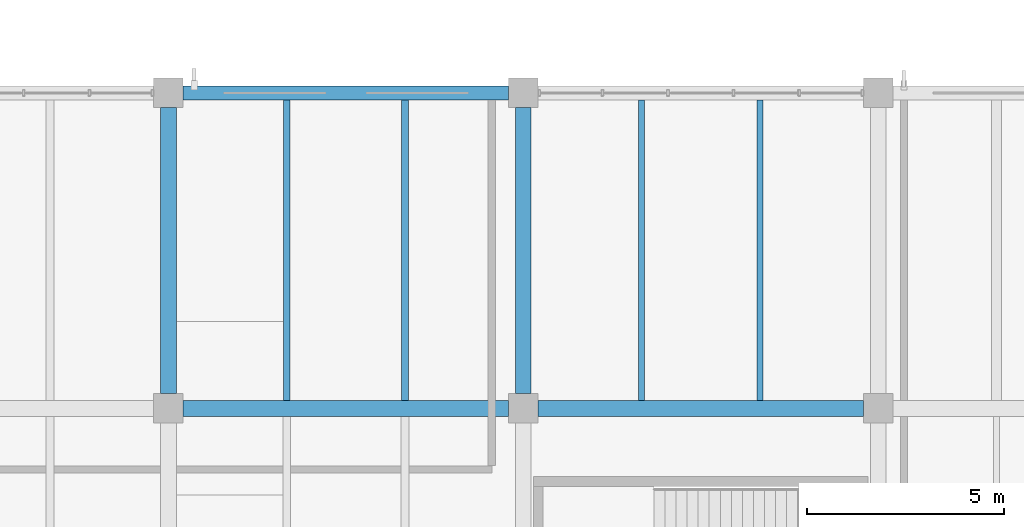
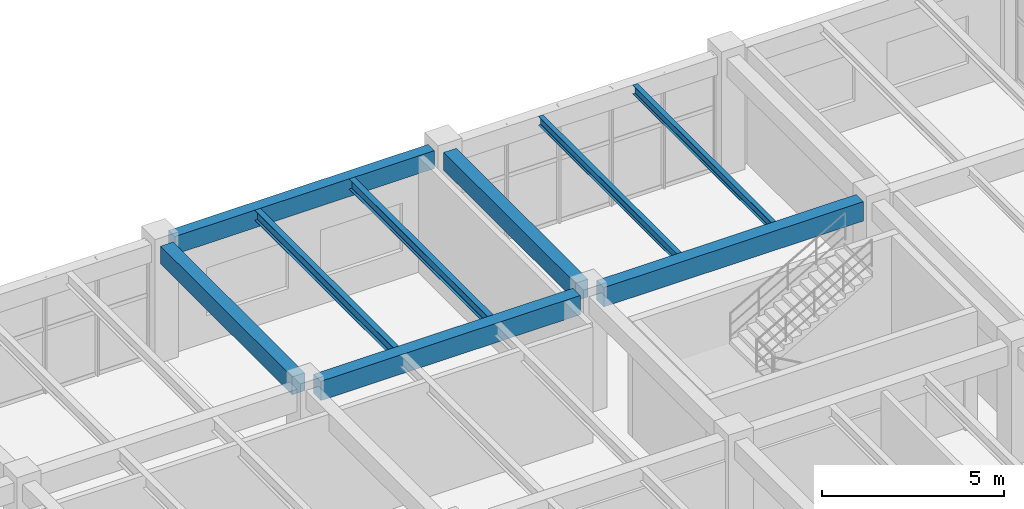
# One storey, part 111 of 148: 9 beams.
"""IFC4 building model written with IfcOpenShell, lengths in metres."""

from ifc_helpers import new_model, si_unit, derived_unit, direction, frame, origin, origin_2d, place, context, subcontext, project, spatial, rectangle, i_section, extrude, material, material_profile, profile_set, type_object, element, save


model = new_model("IFC4")

# Units and contexts
model_context = context("Model", 3, precision=1e-05, world=origin(), true_north=direction((0.0, 1.0)))
body_context = subcontext(model_context, "Body", "Model", "MODEL_VIEW")
ifc_project = project(units=[si_unit("LENGTHUNIT", "METRE"), si_unit("AREAUNIT", "SQUARE_METRE"), si_unit("VOLUMEUNIT", "CUBIC_METRE"), si_unit("PLANEANGLEUNIT", "RADIAN"), si_unit("MASSUNIT", "GRAM", prefix="KILO"), derived_unit("THERMALTRANSMITTANCEUNIT", [(si_unit("MASSUNIT", "GRAM", prefix="KILO"), 1), (si_unit("TIMEUNIT", "SECOND"), -3), (si_unit("THERMODYNAMICTEMPERATUREUNIT", "KELVIN"), -1)])], contexts=[model_context])

# Site, building, storey
site_placement = place(None, origin())
site = spatial("IfcSite", under=ifc_project, at=site_placement, CompositionType="ELEMENT")
building_placement = place(site_placement, origin())
building = spatial("IfcBuilding", under=site, at=building_placement, Name="Zhenchuan Archway Interchange", CompositionType="ELEMENT")
storey_placement = place(building_placement, frame((0.0, 0.0, 10.199951171875)))
storey = spatial("IfcBuildingStorey", under=building, at=storey_placement, Name="L02", CompositionType="ELEMENT", Elevation=10.199951171875)

# Beams
ifc_material_1 = material(Name="Concrete C40", Category="concrete")
ifc_material_profile_1 = material_profile(ifc_material_1, rectangle(XDim=0.39990234375, YDim=0.60009765625, at=origin_2d()), Name="RC 400x600")
ifc_profile_set_1 = profile_set([ifc_material_profile_1], Name="Concrete C40")
beam_type_1 = type_object("IfcBeamType", Name="BM_RC_400x600", PredefinedType="BEAM", material=ifc_profile_set_1)
for number, where, z_axis, x_axis, name in (
    (1, (144.0, 96.375, 3.6201171875), (0.0, 1.0, 0.0), (-1.0, 0.0, 0.0), "Beam 17:N-O (L02)"),
    (2, (153.0, 96.375, 3.6201171875), (0.0, 1.0, 0.0), (-1.0, 0.0, 0.0), "Beam 18:N-O (L02)"),
):
    element("IfcBeam", number, at=place(storey_placement, frame(where, z_axis=z_axis, x_axis=x_axis)), inside=storey, type_object=beam_type_1, Name=name, PredefinedType="BEAM", context=body_context, shape_type="SweptSolid", body=[
        extrude(rectangle(XDim=0.39990234375, YDim=0.60009765625, at=origin_2d()), origin(), (0.0, 0.0, 1.0), 7.25),
    ])
ifc_material_profile_2 = material_profile(ifc_material_1, rectangle(XDim=0.39990234375, YDim=0.64990234375, at=origin_2d()), Name="RC 400x650")
ifc_profile_set_2 = profile_set([ifc_material_profile_2], Name="Concrete C40")
beam_type_2 = type_object("IfcBeamType", Name="BM_RC_400x650", PredefinedType="BEAM", material=ifc_profile_set_2)
for number, where, z_axis, x_axis, name in (
    (3, (144.375, 96.0, 3.594970703125), (1.0, 0.0, 0.0), (0.0, 1.0, 0.0), "Beam N:17-18 (L02)"),
    (4, (153.375, 96.0, 3.594970703125), (1.0, 0.0, 0.0), (0.0, 1.0, 0.0), "Beam N:18-19 (L02)"),
):
    element("IfcBeam", number, at=place(storey_placement, frame(where, z_axis=z_axis, x_axis=x_axis)), inside=storey, type_object=beam_type_2, Name=name, PredefinedType="BEAM", context=body_context, shape_type="SweptSolid", body=[
        extrude(rectangle(XDim=0.39990234375, YDim=0.64990234375, at=origin_2d()), origin(), (0.0, 0.0, 1.0), 8.25),
    ])
ifc_material_2 = material(Name="Steel Q355", Category="steel")
ifc_material_profile_3 = material_profile(ifc_material_2, i_section(OverallWidth=0.14990234375, OverallDepth=0.300048828125, WebThickness=0.006591796875, FlangeThickness=0.009033203125, FilletRadius=0.012939453125, at=origin_2d()), Name="HN 300x150")
ifc_profile_set_3 = profile_set([ifc_material_profile_3], Name="Steel Q355")
beam_type_3 = type_object("IfcBeamType", Name="JST_STL_HN300", PredefinedType="JOIST", material=ifc_profile_set_3)
for number, where, z_axis, x_axis, name in (
    (5, (156.0, 96.199951171875, 3.77001953125), (0.0, 1.0, 0.0), (-1.0, 0.0, 0.0), "Secondary joist 18-19/N-O #1 (L02)"),
    (6, (159.0, 96.199951171875, 3.77001953125), (0.0, 1.0, 0.0), (-1.0, 0.0, 0.0), "Secondary joist 18-19/N-O #2 (L02)"),
):
    element("IfcBeam", number, at=place(storey_placement, frame(where, z_axis=z_axis, x_axis=x_axis)), inside=storey, type_object=beam_type_3, Name=name, PredefinedType="JOIST", context=body_context, shape_type="SweptSolid", body=[
        extrude(i_section(OverallWidth=0.14990234375, OverallDepth=0.300048828125, WebThickness=0.006591796875, FlangeThickness=0.009033203125, FilletRadius=0.012939453125, at=origin_2d()), origin(), (0.0, 0.0, 1.0), 7.625),
    ])
ifc_material_profile_4 = material_profile(ifc_material_2, i_section(OverallWidth=0.175048828125, OverallDepth=0.35009765625, WebThickness=0.007080078125, FlangeThickness=0.010986328125, FilletRadius=0.013916015625, at=origin_2d()), Name="HN 350x175")
ifc_profile_set_4 = profile_set([ifc_material_profile_4], Name="Steel Q355")
beam_type_4 = type_object("IfcBeamType", Name="JST_STL_HN350", PredefinedType="JOIST", material=ifc_profile_set_4)
for number, where, z_axis, x_axis, name in (
    (7, (147.0, 96.199951171875, 3.7451171875), (0.0, 1.0, 0.0), (-1.0, 0.0, 0.0), "Secondary joist 17-18/N-O #1 (L02)"),
    (8, (150.0, 96.199951171875, 3.7451171875), (0.0, 1.0, 0.0), (-1.0, 0.0, 0.0), "Secondary joist 17-18/N-O #2 (L02)"),
):
    element("IfcBeam", number, at=place(storey_placement, frame(where, z_axis=z_axis, x_axis=x_axis)), inside=storey, type_object=beam_type_4, Name=name, PredefinedType="JOIST", context=body_context, shape_type="SweptSolid", body=[
        extrude(i_section(OverallWidth=0.175048828125, OverallDepth=0.35009765625, WebThickness=0.007080078125, FlangeThickness=0.010986328125, FilletRadius=0.013916015625, at=origin_2d()), origin(), (0.0, 0.0, 1.0), 7.625),
    ])
ifc_material_profile_5 = material_profile(ifc_material_1, rectangle(XDim=0.35009765625, YDim=0.60009765625, at=origin_2d()), Name="RC 350x600")
ifc_profile_set_5 = profile_set([ifc_material_profile_5], Name="Concrete C40")
beam_type_5 = type_object("IfcBeamType", Name="SP_RC_350x600", PredefinedType="SPANDREL", material=ifc_profile_set_5)
beam_placement = place(storey_placement, frame((144.375, 104.0, 3.6201171875), z_axis=(1.0, 0.0, 0.0), x_axis=(0.0, 1.0, 0.0)))
element("IfcBeam", 9, at=beam_placement, inside=storey, type_object=beam_type_5, Name="Beam O:17-18 (L02)", PredefinedType="SPANDREL", context=body_context, shape_type="SweptSolid", body=[
    extrude(rectangle(XDim=0.35009765625, YDim=0.60009765625, at=origin_2d()), origin(), (0.0, 0.0, 1.0), 8.25),
])

save(model, "model.ifc")
